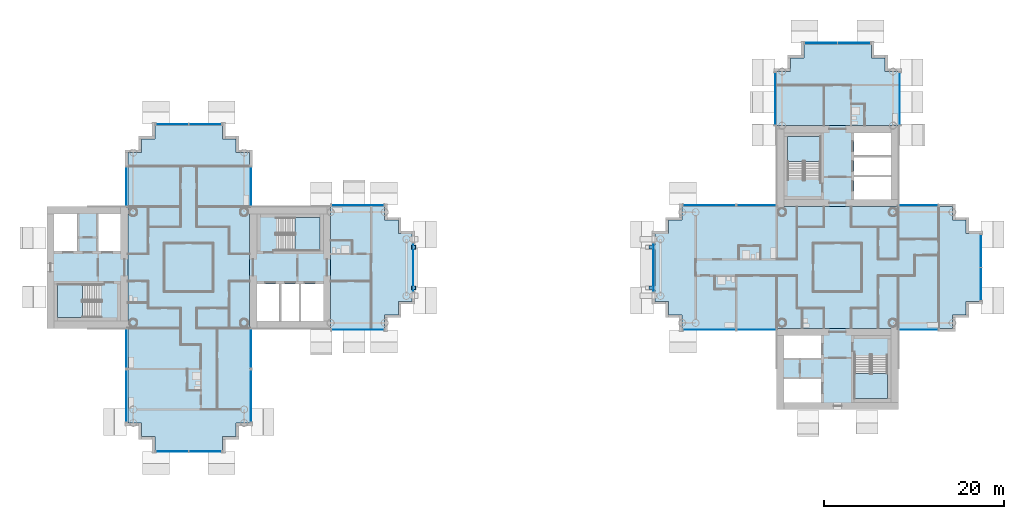
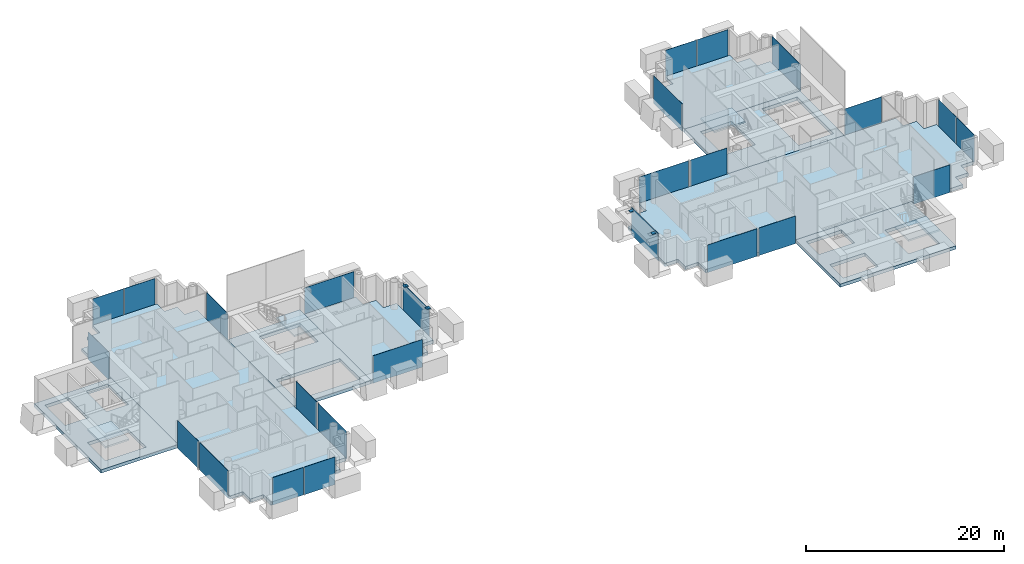
# One storey, part 5 of 18: 26 plates, 12 slabs, 6 members, 26 elements without a shape of their own.
"""IFC4 building model written with IfcOpenShell, lengths in metres."""

from ifc_helpers import new_model, si_unit, direction, frame, origin, origin_2d, place, context, subcontext, project, spatial, polyline, rectangle, outline, extrude, material, layer, layer_set, type_object, element, aggregate, save


model = new_model("IFC4")

# Units and contexts
model_context = context("Model", 3, precision=1e-05, world=origin(), true_north=direction((0.0, 1.0)))
body_context = subcontext(model_context, "Body", "Model", "MODEL_VIEW")
ifc_project = project(units=[si_unit("LENGTHUNIT", "METRE"), si_unit("AREAUNIT", "SQUARE_METRE"), si_unit("VOLUMEUNIT", "CUBIC_METRE"), si_unit("PLANEANGLEUNIT", "RADIAN"), si_unit("MASSUNIT", "GRAM", prefix="KILO")], contexts=[model_context])

# Site, building, storey
site_placement = place(None, origin())
site = spatial("IfcSite", under=ifc_project, at=site_placement, CompositionType="ELEMENT")
building_placement = place(site_placement, origin())
building = spatial("IfcBuilding", under=site, at=building_placement, Name="Ipe Terrace Towers", CompositionType="ELEMENT")
storey_placement = place(building_placement, frame((0.0, 0.0, 177.89990234375)))
storey = spatial("IfcBuildingStorey", under=building, at=storey_placement, Name="L49", CompositionType="ELEMENT", Elevation=177.89990234375)

# Members
ifc_material_1 = material(Name="Steel S355", Category="steel")
member_type_1 = type_object("IfcMemberType", Name="BRIDGE-FIXED BASE PLATE 500x450x20", PredefinedType="PLATE", material=ifc_material_1)
for number, where, z_axis, x_axis, name in (
    (1, (-11.050048828125, -2.25, 2.969970703125), (0.0, 0.0, 1.0), (1.0, 0.0, 0.0), "BR3-PL-T1-S base plate"),
    (2, (-11.050048828125, 2.25, 2.969970703125), (0.0, 0.0, 1.0), (1.0, 0.0, 0.0), "BR3-PL-T1-N base plate"),
):
    element("IfcMember", number, at=place(storey_placement, frame(where, z_axis=z_axis, x_axis=x_axis)), inside=storey, type_object=member_type_1, Name=name, PredefinedType="PLATE", context=body_context, shape_type="SweptSolid", body=[
        extrude(rectangle(XDim=0.5, YDim=0.449951171875, at=origin_2d()), origin(), (0.0, 0.0, 1.0), 0.02001953125),
    ])
ifc_material_2 = material(Name="Steel S355", Category="steel")
member_type_2 = type_object("IfcMemberType", Name="BRIDGE-FIXED BEARING pinned", PredefinedType="USERDEFINED", material=ifc_material_2)
for number, where, z_axis, x_axis, name in (
    (3, (-11.050048828125, -2.25, 2.989990234375), (0.0, 0.0, 1.0), (1.0, 0.0, 0.0), "FIXED BEARING (pinned)"),
    (4, (-11.050048828125, 2.25, 2.989990234375), (0.0, 0.0, 1.0), (1.0, 0.0, 0.0), "FIXED BEARING (pinned)"),
):
    element("IfcMember", number, at=place(storey_placement, frame(where, z_axis=z_axis, x_axis=x_axis)), inside=storey, type_object=member_type_2, Name=name, ObjectType="BEARING", PredefinedType="USERDEFINED", context=body_context, shape_type="SweptSolid", body=[
        extrude(rectangle(XDim=0.39990234375, YDim=0.39990234375, at=origin_2d()), origin(), (0.0, 0.0, 1.0), 0.06005859375),
    ])
ifc_material_3 = material(Name="Steel S355", Category="steel")
member_type_3 = type_object("IfcMemberType", Name="BRIDGE-SLIDING BEARING both ways", PredefinedType="USERDEFINED", material=ifc_material_3)
for number, where, z_axis, x_axis, name in (
    (5, (15.25, -2.25, 2.989990234375), (0.0, 0.0, 1.0), (1.0, 0.0, 0.0), "SLIDING BEARING (slides both horizontal ways)"),
    (6, (15.25, 2.25, 2.989990234375), (0.0, 0.0, 1.0), (1.0, 0.0, 0.0), "SLIDING BEARING (slides both horizontal ways)"),
):
    element("IfcMember", number, at=place(storey_placement, frame(where, z_axis=z_axis, x_axis=x_axis)), inside=storey, type_object=member_type_3, Name=name, ObjectType="BEARING", PredefinedType="USERDEFINED", context=body_context, shape_type="SweptSolid", body=[
        extrude(rectangle(XDim=0.39990234375, YDim=0.39990234375, at=origin_2d()), origin(), (0.0, 0.0, 1.0), 0.06005859375),
    ])

# Slabs
ifc_material_4 = material(Name="Concrete C30/37", Category="concrete")
ifc_layer_1 = layer(ifc_material_4, 0.39990234375)
ifc_layer_set_1 = layer_set([ifc_layer_1], Name="CORE FLOOR SLAB 400 C30-37")
slab_type_1 = type_object("IfcSlabType", Name="CORE FLOOR SLAB 400 C30-37", PredefinedType="FLOOR", material=ifc_layer_set_1)
slab_1_placement = place(storey_placement, frame((0.0, 0.0, -0.39990234375)))
element("IfcSlab", 7, at=slab_1_placement, inside=storey, type_object=slab_type_1, Name="Core floor T1-C1", PredefinedType="FLOOR", context=body_context, shape_type="SweptSolid", body=[
    extrude(outline(polyline([(-29.25, -6.75), (-29.25, 6.75), (-20.25, 6.75), (-20.25, -6.75), (-29.25, -6.75)]), holes=[polyline([(-28.449951171875, -5.949951171875), (-21.050048828125, -5.949951171875), (-21.050048828125, -1.85009765625), (-28.449951171875, -1.85009765625), (-28.449951171875, -5.949951171875)]), polyline([(-26.199951171875, 5.550048828125), (-26.199951171875, 1.89990234375), (-21.449951171875, 1.89990234375), (-21.449951171875, 5.550048828125), (-26.199951171875, 5.550048828125)])]), origin(), (0.0, 0.0, 1.0), 0.39990234375),
])
slab_2_placement = place(storey_placement, frame((0.0, 0.0, -0.39990234375)))
element("IfcSlab", 8, at=slab_2_placement, inside=storey, type_object=slab_type_1, Name="Core floor T1-C2", PredefinedType="FLOOR", context=body_context, shape_type="SweptSolid", body=[
    extrude(outline(polyline([(-51.75, -6.75), (-51.75, 6.75), (-42.75, 6.75), (-42.75, -6.75), (-51.75, -6.75)]), holes=[polyline([(-45.800048828125, -1.89990234375), (-50.550048828125, -1.89990234375), (-50.550048828125, -5.550048828125), (-45.800048828125, -5.550048828125), (-45.800048828125, -1.89990234375)]), polyline([(-48.25, 1.85009765625), (-48.25, 5.949951171875), (-50.949951171875, 5.949951171875), (-50.949951171875, 1.85009765625), (-48.25, 1.85009765625)]), polyline([(-43.550048828125, 1.85009765625), (-43.550048828125, 5.949951171875), (-46.14990234375, 5.949951171875), (-46.14990234375, 1.85009765625), (-43.550048828125, 1.85009765625)])]), origin(), (0.0, 0.0, 1.0), 0.39990234375),
])
slab_3_placement = place(storey_placement, frame((0.0, 0.0, -0.39990234375)))
element("IfcSlab", 9, at=slab_3_placement, inside=storey, type_object=slab_type_1, Name="Core floor T2-C1", PredefinedType="FLOOR", context=body_context, shape_type="SweptSolid", body=[
    extrude(outline(polyline([(29.25, 6.75), (29.25, 15.75), (42.75, 15.75), (42.75, 6.75), (29.25, 6.75)]), holes=[polyline([(41.949951171875, 7.550048828125), (41.949951171875, 14.949951171875), (37.85009765625, 14.949951171875), (37.85009765625, 7.550048828125), (41.949951171875, 7.550048828125)]), polyline([(30.449951171875, 9.800048828125), (34.10009765625, 9.800048828125), (34.10009765625, 14.550048828125), (30.449951171875, 14.550048828125), (30.449951171875, 9.800048828125)])]), origin(), (0.0, 0.0, 1.0), 0.39990234375),
])
slab_4_placement = place(storey_placement, frame((0.0, 0.0, -0.39990234375)))
element("IfcSlab", 10, at=slab_4_placement, inside=storey, type_object=slab_type_1, Name="Core floor T2-C2", PredefinedType="FLOOR", context=body_context, shape_type="SweptSolid", body=[
    extrude(outline(polyline([(29.25, -15.75), (29.25, -6.75), (42.75, -6.75), (42.75, -15.75), (29.25, -15.75)]), holes=[polyline([(30.050048828125, -12.25), (30.050048828125, -14.949951171875), (34.14990234375, -14.949951171875), (34.14990234375, -12.25), (30.050048828125, -12.25)]), polyline([(41.550048828125, -9.800048828125), (37.89990234375, -9.800048828125), (37.89990234375, -14.550048828125), (41.550048828125, -14.550048828125), (41.550048828125, -9.800048828125)]), polyline([(34.14990234375, -7.550048828125), (30.050048828125, -7.550048828125), (30.050048828125, -10.14990234375), (34.14990234375, -10.14990234375), (34.14990234375, -7.550048828125)])]), origin(), (0.0, 0.0, 1.0), 0.39990234375),
])

# Stair, slab
ifc_material_5 = material(Name="Concrete C30/37", Category="concrete")
stair_type = type_object("IfcStairType", Name="Protected exit stair", PredefinedType="HALF_TURN_STAIR", material=ifc_material_5)
stair_1_placement = place(storey_placement, origin())
stair_1 = element("IfcStair", 11, at=stair_1_placement, inside=storey, type_object=stair_type, Name="L49 Exit stair T1-C1", PredefinedType="HALF_TURN_STAIR")
ifc_material_6 = material(Name="Concrete C30/37", Category="concrete")
ifc_layer_2 = layer(ifc_material_6, 0.199951171875)
ifc_layer_set_2 = layer_set([ifc_layer_2], Name="Exit stair landing 200")
slab_type_2 = type_object("IfcSlabType", Name="Exit stair landing 200", PredefinedType="LANDING", material=ifc_layer_set_2)
slab_5_placement = place(storey_placement, frame((0.0, 0.0, 1.5)))
slab_5 = element("IfcSlab", 12, at=slab_5_placement, type_object=slab_type_2, Name="T1-ST1 landing 1", PredefinedType="LANDING", context=body_context, shape_type="SweptSolid", body=[
    extrude(outline(polyline([(-24.219970703125, 1.89990234375), (-21.449951171875, 1.89990234375), (-21.449951171875, 5.550048828125), (-24.219970703125, 5.550048828125), (-24.219970703125, 1.89990234375)])), origin(), (0.0, 0.0, 1.0), 0.2001953125),
])
aggregate(stair_1, [slab_5])

stair_2_placement = place(storey_placement, origin())
stair_2 = element("IfcStair", 13, at=stair_2_placement, inside=storey, type_object=stair_type, Name="L49 Exit stair T1-C2", PredefinedType="HALF_TURN_STAIR")
slab_6_placement = place(storey_placement, frame((0.0, 0.0, 1.5)))
slab_6 = element("IfcSlab", 14, at=slab_6_placement, type_object=slab_type_2, Name="T1-ST2 landing 1", PredefinedType="LANDING", context=body_context, shape_type="SweptSolid", body=[
    extrude(outline(polyline([(-47.780029296875, -1.89990234375), (-50.550048828125, -1.89990234375), (-50.550048828125, -5.550048828125), (-47.780029296875, -5.550048828125), (-47.780029296875, -1.89990234375)])), origin(), (0.0, 0.0, 1.0), 0.2001953125),
])
aggregate(stair_2, [slab_6])

stair_3_placement = place(storey_placement, origin())
stair_3 = element("IfcStair", 15, at=stair_3_placement, inside=storey, type_object=stair_type, Name="L49 Exit stair T2-C1", PredefinedType="HALF_TURN_STAIR")
slab_7_placement = place(storey_placement, frame((0.0, 0.0, 1.5)))
slab_7 = element("IfcSlab", 16, at=slab_7_placement, type_object=slab_type_2, Name="T2-ST1 landing 1", PredefinedType="LANDING", context=body_context, shape_type="SweptSolid", body=[
    extrude(outline(polyline([(34.10009765625, 11.780029296875), (34.10009765625, 14.550048828125), (30.449951171875, 14.550048828125), (30.449951171875, 11.780029296875), (34.10009765625, 11.780029296875)])), origin(), (0.0, 0.0, 1.0), 0.2001953125),
])
aggregate(stair_3, [slab_7])

stair_4_placement = place(storey_placement, origin())
stair_4 = element("IfcStair", 17, at=stair_4_placement, inside=storey, type_object=stair_type, Name="L49 Exit stair T2-C2", PredefinedType="HALF_TURN_STAIR")
slab_8_placement = place(storey_placement, frame((0.0, 0.0, 1.5)))
slab_8 = element("IfcSlab", 18, at=slab_8_placement, type_object=slab_type_2, Name="T2-ST2 landing 1", PredefinedType="LANDING", context=body_context, shape_type="SweptSolid", body=[
    extrude(outline(polyline([(37.89990234375, -11.780029296875), (37.89990234375, -14.550048828125), (41.550048828125, -14.550048828125), (41.550048828125, -11.780029296875), (37.89990234375, -11.780029296875)])), origin(), (0.0, 0.0, 1.0), 0.2001953125),
])
aggregate(stair_4, [slab_8])

# Slabs
ifc_material_7 = material(Name="Concrete C40/50", Category="concrete")
ifc_layer_3 = layer(ifc_material_7, 0.39990234375)
ifc_layer_set_3 = layer_set([ifc_layer_3], Name="FLAT PLATE SLAB 400 C40-50")
slab_type_3 = type_object("IfcSlabType", Name="FLAT PLATE SLAB 400 C40-50", PredefinedType="FLOOR", material=ifc_layer_set_3)
slab_9_placement = place(storey_placement, frame((0.0, 0.0, -0.39990234375)))
element("IfcSlab", 19, at=slab_9_placement, inside=storey, type_object=slab_type_3, Name="Slab T1-FS-Z31", PredefinedType="FLOOR", context=body_context, shape_type="SweptSolid", body=[
    extrude(outline(polyline([(-30.75, -17.25), (-30.75, -18.75), (-32.25, -18.75), (-32.25, -20.25), (-39.75, -20.25), (-39.75, -18.75), (-41.25, -18.75), (-41.25, -17.25), (-42.75, -17.25), (-42.75, -6.75), (-42.75, 6.75), (-42.75, 12.75), (-41.25, 12.75), (-41.25, 14.25), (-39.75, 14.25), (-39.75, 15.75), (-32.25, 15.75), (-32.25, 14.25), (-30.75, 14.25), (-30.75, 12.75), (-29.25, 12.75), (-29.25, 6.75), (-29.25, -6.75), (-29.25, -17.25), (-30.75, -17.25)])), origin(), (0.0, 0.0, 1.0), 0.39990234375),
])
slab_10_placement = place(storey_placement, frame((0.0, 0.0, -0.39990234375)))
element("IfcSlab", 20, at=slab_10_placement, inside=storey, type_object=slab_type_3, Name="Slab T1-FS-Z32", PredefinedType="FLOOR", context=body_context, shape_type="SweptSolid", body=[
    extrude(outline(polyline([(-14.25, 5.25), (-12.75, 5.25), (-12.75, 3.75), (-11.25, 3.75), (-11.25, -3.75), (-12.75, -3.75), (-12.75, -5.25), (-14.25, -5.25), (-14.25, -6.75), (-20.25, -6.75), (-20.25, 6.75), (-14.25, 6.75), (-14.25, 5.25)])), origin(), (0.0, 0.0, 1.0), 0.39990234375),
])
slab_11_placement = place(storey_placement, frame((0.0, 0.0, -0.39990234375)))
element("IfcSlab", 21, at=slab_11_placement, inside=storey, type_object=slab_type_3, Name="Slab T2-FS-Z31", PredefinedType="FLOOR", context=body_context, shape_type="SweptSolid", body=[
    extrude(outline(polyline([(48.75, 5.25), (50.25, 5.25), (50.25, 3.75), (51.75, 3.75), (51.75, -3.75), (50.25, -3.75), (50.25, -5.25), (48.75, -5.25), (48.75, -6.75), (42.75, -6.75), (29.25, -6.75), (18.75, -6.75), (18.75, -5.25), (17.25, -5.25), (17.25, -3.75), (15.75, -3.75), (15.75, 3.75), (17.25, 3.75), (17.25, 5.25), (18.75, 5.25), (18.75, 6.75), (29.25, 6.75), (42.75, 6.75), (48.75, 6.75), (48.75, 5.25)])), origin(), (0.0, 0.0, 1.0), 0.39990234375),
])
slab_12_placement = place(storey_placement, frame((0.0, 0.0, -0.39990234375)))
element("IfcSlab", 22, at=slab_12_placement, inside=storey, type_object=slab_type_3, Name="Slab T2-FS-Z32", PredefinedType="FLOOR", context=body_context, shape_type="SweptSolid", body=[
    extrude(outline(polyline([(30.75, 21.75), (30.75, 23.25), (32.25, 23.25), (32.25, 24.75), (39.75, 24.75), (39.75, 23.25), (41.25, 23.25), (41.25, 21.75), (42.75, 21.75), (42.75, 15.75), (29.25, 15.75), (29.25, 21.75), (30.75, 21.75)])), origin(), (0.0, 0.0, 1.0), 0.39990234375),
])

# Curtain wall, plate
ifc_material_8 = material(Name="Aluminium alloy 6063-T6", Category="aluminium")
ifc_layer_4 = layer(ifc_material_8, 0.320068359375)
ifc_layer_set_4 = layer_set([ifc_layer_4], Name="TOWER UNITISED CURTAIN WALL")
curtain_wall_type = type_object("IfcCurtainWallType", Name="TOWER UNITISED CURTAIN WALL", PredefinedType="NOTDEFINED", material=ifc_layer_set_4)
curtain_wall_1_placement = place(storey_placement, origin())
curtain_wall_1 = element("IfcCurtainWall", 23, at=curtain_wall_1_placement, inside=storey, type_object=curtain_wall_type, Name="T1-CW-L49-02a curtain wall", PredefinedType="NOTDEFINED")
ifc_material_9 = material(Name="Glass, clear laminated", Category="glass")
ifc_layer_5 = layer(ifc_material_9, 0.031982421875)
ifc_layer_set_5 = layer_set([ifc_layer_5], Name="TOWER UNITISED GLASS PANEL 32")
plate_type = type_object("IfcPlateType", Name="TOWER UNITISED GLASS PANEL 32", PredefinedType="CURTAIN_PANEL", material=ifc_layer_set_5)
plate_1_placement = place(storey_placement, frame((-42.909912109375, -9.0, -0.2998046875), z_axis=(0.0, 0.0, 1.0), x_axis=(0.0, -1.0, 0.0)))
plate_1 = element("IfcPlate", 24, at=plate_1_placement, type_object=plate_type, Name="T1-CW-L49-02a panel 1", PredefinedType="CURTAIN_PANEL", context=body_context, shape_type="SweptSolid", body=[
    extrude(rectangle(XDim=4.260009765625, YDim=0.031982421875, at=origin_2d()), origin(), (0.0, 0.0, 1.0), 3.39990234375),
])
aggregate(curtain_wall_1, [plate_1])

curtain_wall_2_placement = place(storey_placement, origin())
curtain_wall_2 = element("IfcCurtainWall", 25, at=curtain_wall_2_placement, inside=storey, type_object=curtain_wall_type, Name="T1-CW-L49-03a curtain wall", PredefinedType="NOTDEFINED")
plate_2_placement = place(storey_placement, frame((-42.909912109375, -14.25, -0.2998046875), z_axis=(0.0, 0.0, 1.0), x_axis=(0.0, -1.0, 0.0)))
plate_2 = element("IfcPlate", 26, at=plate_2_placement, type_object=plate_type, Name="T1-CW-L49-03a panel 1", PredefinedType="CURTAIN_PANEL", context=body_context, shape_type="SweptSolid", body=[
    extrude(rectangle(XDim=5.760009765625, YDim=0.031982421875, at=origin_2d()), origin(), (0.0, 0.0, 1.0), 3.39990234375),
])
aggregate(curtain_wall_2, [plate_2])

# Curtain wall, plates
curtain_wall_3_placement = place(storey_placement, origin())
curtain_wall_3 = element("IfcCurtainWall", 27, at=curtain_wall_3_placement, inside=storey, type_object=curtain_wall_type, Name="T1-CW-L49-08a curtain wall", PredefinedType="NOTDEFINED")
plate_3_placement = place(storey_placement, frame((-37.831298828125, -20.409912109375, -0.2998046875), z_axis=(0.0, 0.0, 1.0), x_axis=(1.0, 0.0, 0.0)))
plate_3 = element("IfcPlate", 28, at=plate_3_placement, type_object=plate_type, Name="T1-CW-L49-08a panel 1", PredefinedType="CURTAIN_PANEL", context=body_context, shape_type="SweptSolid", body=[
    extrude(rectangle(XDim=3.597412109375, YDim=0.031982421875, at=origin_2d()), origin(), (0.0, 0.0, 1.0), 3.39990234375),
])
plate_4_placement = place(storey_placement, frame((-34.168701171875, -20.409912109375, -0.2998046875), z_axis=(0.0, 0.0, 1.0), x_axis=(1.0, 0.0, 0.0)))
plate_4 = element("IfcPlate", 29, at=plate_4_placement, type_object=plate_type, Name="T1-CW-L49-08a panel 2", PredefinedType="CURTAIN_PANEL", context=body_context, shape_type="SweptSolid", body=[
    extrude(rectangle(XDim=3.597412109375, YDim=0.031982421875, at=origin_2d()), origin(), (0.0, 0.0, 1.0), 3.39990234375),
])
aggregate(curtain_wall_3, [plate_3, plate_4])

# Curtain wall, plate
curtain_wall_4_placement = place(storey_placement, origin())
curtain_wall_4 = element("IfcCurtainWall", 30, at=curtain_wall_4_placement, inside=storey, type_object=curtain_wall_type, Name="T1-CW-L49-13a curtain wall", PredefinedType="NOTDEFINED")
plate_5_placement = place(storey_placement, frame((-29.090087890625, -14.25, -0.2998046875), z_axis=(0.0, 0.0, 1.0), x_axis=(0.0, 1.0, 0.0)))
plate_5 = element("IfcPlate", 31, at=plate_5_placement, type_object=plate_type, Name="T1-CW-L49-13a panel 1", PredefinedType="CURTAIN_PANEL", context=body_context, shape_type="SweptSolid", body=[
    extrude(rectangle(XDim=5.760009765625, YDim=0.031982421875, at=origin_2d()), origin(), (0.0, 0.0, 1.0), 3.39990234375),
])
aggregate(curtain_wall_4, [plate_5])

curtain_wall_5_placement = place(storey_placement, origin())
curtain_wall_5 = element("IfcCurtainWall", 32, at=curtain_wall_5_placement, inside=storey, type_object=curtain_wall_type, Name="T1-CW-L49-14a curtain wall", PredefinedType="NOTDEFINED")
plate_6_placement = place(storey_placement, frame((-29.090087890625, -9.0, -0.2998046875), z_axis=(0.0, 0.0, 1.0), x_axis=(0.0, 1.0, 0.0)))
plate_6 = element("IfcPlate", 33, at=plate_6_placement, type_object=plate_type, Name="T1-CW-L49-14a panel 1", PredefinedType="CURTAIN_PANEL", context=body_context, shape_type="SweptSolid", body=[
    extrude(rectangle(XDim=4.260009765625, YDim=0.031982421875, at=origin_2d()), origin(), (0.0, 0.0, 1.0), 3.39990234375),
])
aggregate(curtain_wall_5, [plate_6])

curtain_wall_6_placement = place(storey_placement, origin())
curtain_wall_6 = element("IfcCurtainWall", 34, at=curtain_wall_6_placement, inside=storey, type_object=curtain_wall_type, Name="T1-CW-L49-16b curtain wall", PredefinedType="NOTDEFINED")
plate_7_placement = place(storey_placement, frame((-17.24951171875, -6.909912109375, -0.2998046875), z_axis=(0.0, 0.0, 1.0), x_axis=(1.0, 0.0, 0.0)))
plate_7 = element("IfcPlate", 35, at=plate_7_placement, type_object=plate_type, Name="T1-CW-L49-16b panel 1", PredefinedType="CURTAIN_PANEL", context=body_context, shape_type="SweptSolid", body=[
    extrude(rectangle(XDim=5.759033203125, YDim=0.031982421875, at=origin_2d()), origin(), (0.0, 0.0, 1.0), 3.39990234375),
])
aggregate(curtain_wall_6, [plate_7])

curtain_wall_7_placement = place(storey_placement, origin())
curtain_wall_7 = element("IfcCurtainWall", 36, at=curtain_wall_7_placement, inside=storey, type_object=curtain_wall_type, Name="T1-CW-L49-21d curtain wall", PredefinedType="NOTDEFINED")
plate_8_placement = place(storey_placement, frame((-11.090087890625, 0.0, -0.2998046875), z_axis=(0.0, 0.0, 1.0), x_axis=(0.0, 1.0, 0.0)))
plate_8 = element("IfcPlate", 37, at=plate_8_placement, type_object=plate_type, Name="T1-CW-L49-21d panel 1", PredefinedType="CURTAIN_PANEL", context=body_context, shape_type="SweptSolid", body=[
    extrude(rectangle(XDim=5.360107421875, YDim=0.031982421875, at=origin_2d()), origin(), (0.0, 0.0, 1.0), 3.39990234375),
])
aggregate(curtain_wall_7, [plate_8])

curtain_wall_8_placement = place(storey_placement, origin())
curtain_wall_8 = element("IfcCurtainWall", 38, at=curtain_wall_8_placement, inside=storey, type_object=curtain_wall_type, Name="T1-CW-L49-26a curtain wall", PredefinedType="NOTDEFINED")
plate_9_placement = place(storey_placement, frame((-17.24951171875, 6.909912109375, -0.2998046875), z_axis=(0.0, 0.0, 1.0), x_axis=(-1.0, 0.0, 0.0)))
plate_9 = element("IfcPlate", 39, at=plate_9_placement, type_object=plate_type, Name="T1-CW-L49-26a panel 1", PredefinedType="CURTAIN_PANEL", context=body_context, shape_type="SweptSolid", body=[
    extrude(rectangle(XDim=5.759033203125, YDim=0.031982421875, at=origin_2d()), origin(), (0.0, 0.0, 1.0), 3.39990234375),
])
aggregate(curtain_wall_8, [plate_9])

curtain_wall_9_placement = place(storey_placement, origin())
curtain_wall_9 = element("IfcCurtainWall", 40, at=curtain_wall_9_placement, inside=storey, type_object=curtain_wall_type, Name="T1-CW-L49-28a curtain wall", PredefinedType="NOTDEFINED")
plate_10_placement = place(storey_placement, frame((-29.090087890625, 9.0, -0.2998046875), z_axis=(0.0, 0.0, 1.0), x_axis=(0.0, 1.0, 0.0)))
plate_10 = element("IfcPlate", 41, at=plate_10_placement, type_object=plate_type, Name="T1-CW-L49-28a panel 1", PredefinedType="CURTAIN_PANEL", context=body_context, shape_type="SweptSolid", body=[
    extrude(rectangle(XDim=4.260009765625, YDim=0.031982421875, at=origin_2d()), origin(), (0.0, 0.0, 1.0), 3.39990234375),
])
aggregate(curtain_wall_9, [plate_10])

# Curtain wall, plates
curtain_wall_10_placement = place(storey_placement, origin())
curtain_wall_10 = element("IfcCurtainWall", 42, at=curtain_wall_10_placement, inside=storey, type_object=curtain_wall_type, Name="T1-CW-L49-34a curtain wall", PredefinedType="NOTDEFINED")
plate_11_placement = place(storey_placement, frame((-34.168701171875, 15.909912109375, -0.2998046875), z_axis=(0.0, 0.0, 1.0), x_axis=(-1.0, 0.0, 0.0)))
plate_11 = element("IfcPlate", 43, at=plate_11_placement, type_object=plate_type, Name="T1-CW-L49-34a panel 1", PredefinedType="CURTAIN_PANEL", context=body_context, shape_type="SweptSolid", body=[
    extrude(rectangle(XDim=3.597412109375, YDim=0.031982421875, at=origin_2d()), origin(), (0.0, 0.0, 1.0), 3.39990234375),
])
plate_12_placement = place(storey_placement, frame((-37.831298828125, 15.909912109375, -0.2998046875), z_axis=(0.0, 0.0, 1.0), x_axis=(-1.0, 0.0, 0.0)))
plate_12 = element("IfcPlate", 44, at=plate_12_placement, type_object=plate_type, Name="T1-CW-L49-34a panel 2", PredefinedType="CURTAIN_PANEL", context=body_context, shape_type="SweptSolid", body=[
    extrude(rectangle(XDim=3.597412109375, YDim=0.031982421875, at=origin_2d()), origin(), (0.0, 0.0, 1.0), 3.39990234375),
])
aggregate(curtain_wall_10, [plate_11, plate_12])

# Curtain wall, plate
curtain_wall_11_placement = place(storey_placement, origin())
curtain_wall_11 = element("IfcCurtainWall", 45, at=curtain_wall_11_placement, inside=storey, type_object=curtain_wall_type, Name="T1-CW-L49-40a curtain wall", PredefinedType="NOTDEFINED")
plate_13_placement = place(storey_placement, frame((-42.909912109375, 9.0, -0.2998046875), z_axis=(0.0, 0.0, 1.0), x_axis=(0.0, -1.0, 0.0)))
plate_13 = element("IfcPlate", 46, at=plate_13_placement, type_object=plate_type, Name="T1-CW-L49-40a panel 1", PredefinedType="CURTAIN_PANEL", context=body_context, shape_type="SweptSolid", body=[
    extrude(rectangle(XDim=4.260009765625, YDim=0.031982421875, at=origin_2d()), origin(), (0.0, 0.0, 1.0), 3.39990234375),
])
aggregate(curtain_wall_11, [plate_13])

curtain_wall_12_placement = place(storey_placement, origin())
curtain_wall_12 = element("IfcCurtainWall", 47, at=curtain_wall_12_placement, inside=storey, type_object=curtain_wall_type, Name="T2-CW-L49-02a curtain wall", PredefinedType="NOTDEFINED")
plate_14_placement = place(storey_placement, frame((45.0, -6.909912109375, -0.2998046875), z_axis=(0.0, 0.0, 1.0), x_axis=(1.0, 0.0, 0.0)))
plate_14 = element("IfcPlate", 48, at=plate_14_placement, type_object=plate_type, Name="T2-CW-L49-02a panel 1", PredefinedType="CURTAIN_PANEL", context=body_context, shape_type="SweptSolid", body=[
    extrude(rectangle(XDim=4.260009765625, YDim=0.031982421875, at=origin_2d()), origin(), (0.0, 0.0, 1.0), 3.39990234375),
])
aggregate(curtain_wall_12, [plate_14])

# Curtain wall, plates
curtain_wall_13_placement = place(storey_placement, origin())
curtain_wall_13 = element("IfcCurtainWall", 49, at=curtain_wall_13_placement, inside=storey, type_object=curtain_wall_type, Name="T2-CW-L49-08a curtain wall", PredefinedType="NOTDEFINED")
plate_15_placement = place(storey_placement, frame((51.909912109375, -1.831298828125, -0.2998046875), z_axis=(0.0, 0.0, 1.0), x_axis=(0.0, 1.0, 0.0)))
plate_15 = element("IfcPlate", 50, at=plate_15_placement, type_object=plate_type, Name="T2-CW-L49-08a panel 1", PredefinedType="CURTAIN_PANEL", context=body_context, shape_type="SweptSolid", body=[
    extrude(rectangle(XDim=3.597412109375, YDim=0.031982421875, at=origin_2d()), origin(), (0.0, 0.0, 1.0), 3.39990234375),
])
plate_16_placement = place(storey_placement, frame((51.909912109375, 1.831298828125, -0.2998046875), z_axis=(0.0, 0.0, 1.0), x_axis=(0.0, 1.0, 0.0)))
plate_16 = element("IfcPlate", 51, at=plate_16_placement, type_object=plate_type, Name="T2-CW-L49-08a panel 2", PredefinedType="CURTAIN_PANEL", context=body_context, shape_type="SweptSolid", body=[
    extrude(rectangle(XDim=3.597412109375, YDim=0.031982421875, at=origin_2d()), origin(), (0.0, 0.0, 1.0), 3.39990234375),
])
aggregate(curtain_wall_13, [plate_15, plate_16])

# Curtain wall, plate
curtain_wall_14_placement = place(storey_placement, origin())
curtain_wall_14 = element("IfcCurtainWall", 52, at=curtain_wall_14_placement, inside=storey, type_object=curtain_wall_type, Name="T2-CW-L49-14a curtain wall", PredefinedType="NOTDEFINED")
plate_17_placement = place(storey_placement, frame((45.0, 6.909912109375, -0.2998046875), z_axis=(0.0, 0.0, 1.0), x_axis=(-1.0, 0.0, 0.0)))
plate_17 = element("IfcPlate", 53, at=plate_17_placement, type_object=plate_type, Name="T2-CW-L49-14a panel 1", PredefinedType="CURTAIN_PANEL", context=body_context, shape_type="SweptSolid", body=[
    extrude(rectangle(XDim=4.260009765625, YDim=0.031982421875, at=origin_2d()), origin(), (0.0, 0.0, 1.0), 3.39990234375),
])
aggregate(curtain_wall_14, [plate_17])

curtain_wall_15_placement = place(storey_placement, origin())
curtain_wall_15 = element("IfcCurtainWall", 54, at=curtain_wall_15_placement, inside=storey, type_object=curtain_wall_type, Name="T2-CW-L49-16b curtain wall", PredefinedType="NOTDEFINED")
plate_18_placement = place(storey_placement, frame((42.909912109375, 18.75048828125, -0.2998046875), z_axis=(0.0, 0.0, 1.0), x_axis=(0.0, 1.0, 0.0)))
plate_18 = element("IfcPlate", 55, at=plate_18_placement, type_object=plate_type, Name="T2-CW-L49-16b panel 1", PredefinedType="CURTAIN_PANEL", context=body_context, shape_type="SweptSolid", body=[
    extrude(rectangle(XDim=5.759033203125, YDim=0.031982421875, at=origin_2d()), origin(), (0.0, 0.0, 1.0), 3.39990234375),
])
aggregate(curtain_wall_15, [plate_18])

# Curtain wall, plates
curtain_wall_16_placement = place(storey_placement, origin())
curtain_wall_16 = element("IfcCurtainWall", 56, at=curtain_wall_16_placement, inside=storey, type_object=curtain_wall_type, Name="T2-CW-L49-21a curtain wall", PredefinedType="NOTDEFINED")
plate_19_placement = place(storey_placement, frame((37.831298828125, 24.909912109375, -0.2998046875), z_axis=(0.0, 0.0, 1.0), x_axis=(-1.0, 0.0, 0.0)))
plate_19 = element("IfcPlate", 57, at=plate_19_placement, type_object=plate_type, Name="T2-CW-L49-21a panel 1", PredefinedType="CURTAIN_PANEL", context=body_context, shape_type="SweptSolid", body=[
    extrude(rectangle(XDim=3.597412109375, YDim=0.031982421875, at=origin_2d()), origin(), (0.0, 0.0, 1.0), 3.39990234375),
])
plate_20_placement = place(storey_placement, frame((34.168701171875, 24.909912109375, -0.2998046875), z_axis=(0.0, 0.0, 1.0), x_axis=(-1.0, 0.0, 0.0)))
plate_20 = element("IfcPlate", 58, at=plate_20_placement, type_object=plate_type, Name="T2-CW-L49-21a panel 2", PredefinedType="CURTAIN_PANEL", context=body_context, shape_type="SweptSolid", body=[
    extrude(rectangle(XDim=3.597412109375, YDim=0.031982421875, at=origin_2d()), origin(), (0.0, 0.0, 1.0), 3.39990234375),
])
aggregate(curtain_wall_16, [plate_19, plate_20])

# Curtain wall, plate
curtain_wall_17_placement = place(storey_placement, origin())
curtain_wall_17 = element("IfcCurtainWall", 59, at=curtain_wall_17_placement, inside=storey, type_object=curtain_wall_type, Name="T2-CW-L49-26a curtain wall", PredefinedType="NOTDEFINED")
plate_21_placement = place(storey_placement, frame((29.090087890625, 18.75048828125, -0.2998046875), z_axis=(0.0, 0.0, 1.0), x_axis=(0.0, -1.0, 0.0)))
plate_21 = element("IfcPlate", 60, at=plate_21_placement, type_object=plate_type, Name="T2-CW-L49-26a panel 1", PredefinedType="CURTAIN_PANEL", context=body_context, shape_type="SweptSolid", body=[
    extrude(rectangle(XDim=5.759033203125, YDim=0.031982421875, at=origin_2d()), origin(), (0.0, 0.0, 1.0), 3.39990234375),
])
aggregate(curtain_wall_17, [plate_21])

curtain_wall_18_placement = place(storey_placement, origin())
curtain_wall_18 = element("IfcCurtainWall", 61, at=curtain_wall_18_placement, inside=storey, type_object=curtain_wall_type, Name="T2-CW-L49-28a curtain wall", PredefinedType="NOTDEFINED")
plate_22_placement = place(storey_placement, frame((27.0, 6.909912109375, -0.2998046875), z_axis=(0.0, 0.0, 1.0), x_axis=(-1.0, 0.0, 0.0)))
plate_22 = element("IfcPlate", 62, at=plate_22_placement, type_object=plate_type, Name="T2-CW-L49-28a panel 1", PredefinedType="CURTAIN_PANEL", context=body_context, shape_type="SweptSolid", body=[
    extrude(rectangle(XDim=4.260009765625, YDim=0.031982421875, at=origin_2d()), origin(), (0.0, 0.0, 1.0), 3.39990234375),
])
aggregate(curtain_wall_18, [plate_22])

curtain_wall_19_placement = place(storey_placement, origin())
curtain_wall_19 = element("IfcCurtainWall", 63, at=curtain_wall_19_placement, inside=storey, type_object=curtain_wall_type, Name="T2-CW-L49-29a curtain wall", PredefinedType="NOTDEFINED")
plate_23_placement = place(storey_placement, frame((21.75, 6.909912109375, -0.2998046875), z_axis=(0.0, 0.0, 1.0), x_axis=(-1.0, 0.0, 0.0)))
plate_23 = element("IfcPlate", 64, at=plate_23_placement, type_object=plate_type, Name="T2-CW-L49-29a panel 1", PredefinedType="CURTAIN_PANEL", context=body_context, shape_type="SweptSolid", body=[
    extrude(rectangle(XDim=5.760009765625, YDim=0.031982421875, at=origin_2d()), origin(), (0.0, 0.0, 1.0), 3.39990234375),
])
aggregate(curtain_wall_19, [plate_23])

curtain_wall_20_placement = place(storey_placement, origin())
curtain_wall_20 = element("IfcCurtainWall", 65, at=curtain_wall_20_placement, inside=storey, type_object=curtain_wall_type, Name="T2-CW-L49-34d curtain wall", PredefinedType="NOTDEFINED")
plate_24_placement = place(storey_placement, frame((15.590087890625, 0.0, -0.2998046875), z_axis=(0.0, 0.0, 1.0), x_axis=(0.0, -1.0, 0.0)))
plate_24 = element("IfcPlate", 66, at=plate_24_placement, type_object=plate_type, Name="T2-CW-L49-34d panel 1", PredefinedType="CURTAIN_PANEL", context=body_context, shape_type="SweptSolid", body=[
    extrude(rectangle(XDim=5.360107421875, YDim=0.031982421875, at=origin_2d()), origin(), (0.0, 0.0, 1.0), 3.39990234375),
])
aggregate(curtain_wall_20, [plate_24])

curtain_wall_21_placement = place(storey_placement, origin())
curtain_wall_21 = element("IfcCurtainWall", 67, at=curtain_wall_21_placement, inside=storey, type_object=curtain_wall_type, Name="T2-CW-L49-39a curtain wall", PredefinedType="NOTDEFINED")
plate_25_placement = place(storey_placement, frame((21.75, -6.909912109375, -0.2998046875), z_axis=(0.0, 0.0, 1.0), x_axis=(1.0, 0.0, 0.0)))
plate_25 = element("IfcPlate", 68, at=plate_25_placement, type_object=plate_type, Name="T2-CW-L49-39a panel 1", PredefinedType="CURTAIN_PANEL", context=body_context, shape_type="SweptSolid", body=[
    extrude(rectangle(XDim=5.760009765625, YDim=0.031982421875, at=origin_2d()), origin(), (0.0, 0.0, 1.0), 3.39990234375),
])
aggregate(curtain_wall_21, [plate_25])

curtain_wall_22_placement = place(storey_placement, origin())
curtain_wall_22 = element("IfcCurtainWall", 69, at=curtain_wall_22_placement, inside=storey, type_object=curtain_wall_type, Name="T2-CW-L49-40a curtain wall", PredefinedType="NOTDEFINED")
plate_26_placement = place(storey_placement, frame((27.0, -6.909912109375, -0.2998046875), z_axis=(0.0, 0.0, 1.0), x_axis=(1.0, 0.0, 0.0)))
plate_26 = element("IfcPlate", 70, at=plate_26_placement, type_object=plate_type, Name="T2-CW-L49-40a panel 1", PredefinedType="CURTAIN_PANEL", context=body_context, shape_type="SweptSolid", body=[
    extrude(rectangle(XDim=4.260009765625, YDim=0.031982421875, at=origin_2d()), origin(), (0.0, 0.0, 1.0), 3.39990234375),
])
aggregate(curtain_wall_22, [plate_26])

save(model, "model.ifc")
